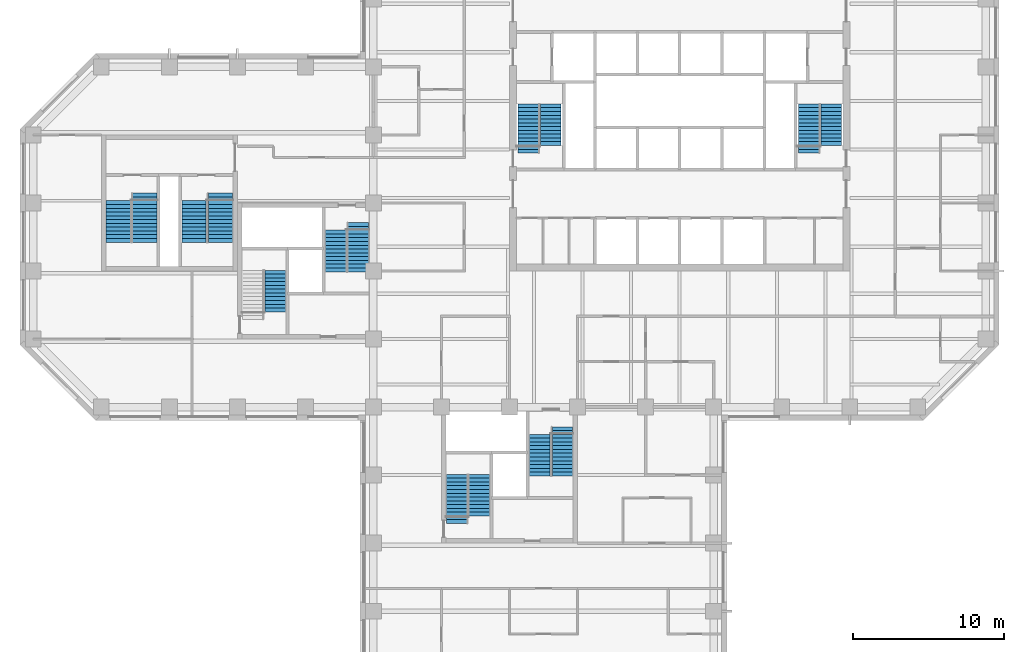
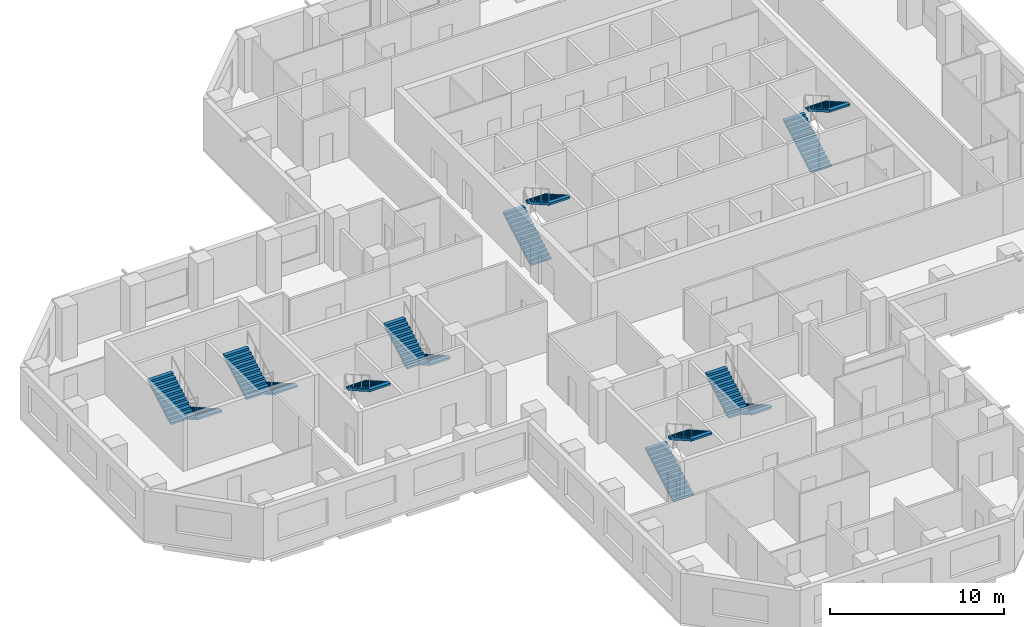
# One storey, part 10 of 11: 15 stair flights, 8 elements without a shape of their own.
"""IFC4 building model written with IfcOpenShell, lengths in metres."""

from ifc_helpers import new_model, si_unit, direction, frame, origin, place, context, subcontext, project, spatial, polyline, outline, extrude, material, type_object, element, aggregate, save


model = new_model("IFC4")

# Units and contexts
model_context = context("Model", 3, precision=1e-05, world=origin(), true_north=direction((0.0, 1.0)))
body_context = subcontext(model_context, "Body", "Model", "MODEL_VIEW")
ifc_project = project(units=[si_unit("LENGTHUNIT", "METRE"), si_unit("AREAUNIT", "SQUARE_METRE"), si_unit("VOLUMEUNIT", "CUBIC_METRE"), si_unit("PLANEANGLEUNIT", "RADIAN"), si_unit("MASSUNIT", "GRAM", prefix="KILO")], contexts=[model_context])

# Site, building, storey
site_placement = place(None, origin())
site = spatial("IfcSite", under=ifc_project, at=site_placement, CompositionType="ELEMENT")
building_placement = place(site_placement, origin())
building = spatial("IfcBuilding", under=site, at=building_placement, Name="Quoin Convention Tower", CompositionType="ELEMENT")
storey_placement = place(building_placement, frame((0.0, 0.0, 78.89990234375)))
storey = spatial("IfcBuildingStorey", under=building, at=storey_placement, Name="L20", CompositionType="ELEMENT", Elevation=78.89990234375)

# Stair, stair flights
ifc_material = material(Name="Concrete C40", Category="concrete")
stair_type_1 = type_object("IfcStairType", Name="Exit stair two-flight 1350", PredefinedType="HALF_TURN_STAIR", material=ifc_material)
stair_1_placement = place(storey_placement, origin())
stair_1 = element("IfcStair", 1, at=stair_1_placement, inside=storey, type_object=stair_type_1, Name="SD1 L20", PredefinedType="HALF_TURN_STAIR")
stair_flight_type_1 = type_object("IfcStairFlightType", Name="Stair flight 1350", PredefinedType="STRAIGHT", material=ifc_material)
stair_flight_1_placement = place(storey_placement, frame((46.22509765625, 57.300048828125, 0.0), z_axis=(0.0, 0.0, 1.0), x_axis=(0.0, 1.0, 0.0)))
stair_flight_1 = element("IfcStairFlight", 2, at=stair_flight_1_placement, type_object=stair_flight_type_1, Name="ST1 flight 1", NumberOfRisers=14, NumberOfTreads=13, PredefinedType="STRAIGHT", RiserHeight=0.142307692, TreadLength=0.25, context=body_context, shape_type="SweptSolid", body=[
    extrude(outline(polyline([(0.0, 0.0), (0.0, 0.142333984375), (0.25, 0.142333984375), (0.25, 0.28466796875), (0.5, 0.28466796875), (0.5, 0.427001953125), (0.75, 0.427001953125), (0.75, 0.5693359375), (1.0, 0.5693359375), (1.0, 0.71142578125), (1.25, 0.71142578125), (1.25, 0.853759765625), (1.5, 0.853759765625), (1.5, 0.99609375), (1.75, 0.99609375), (1.75, 1.138427734375), (2.0, 1.138427734375), (2.0, 1.28076171875), (2.25, 1.28076171875), (2.25, 1.423095703125), (2.5, 1.423095703125), (2.5, 1.5654296875), (2.75, 1.5654296875), (2.75, 1.707763671875), (3.0, 1.707763671875), (3.0, 1.85009765625), (3.25, 1.85009765625), (3.25, 1.9921875), (3.25, 1.711669921875), (0.242919921875, 0.0), (0.0, 0.0)])), frame((0.0, 0.675048828125, 0.0), z_axis=(0.0, -1.0, 0.0), x_axis=(1.0, 0.0, 0.0)), (0.0, 0.0, 1.0), 1.35009765625),
])
stair_flight_2_placement = place(storey_placement, frame((47.72509765625, 60.550048828125, 1.992431640625), z_axis=(0.0, 0.0, 1.0), x_axis=(0.0, -1.0, 0.0)))
stair_flight_2 = element("IfcStairFlight", 3, at=stair_flight_2_placement, type_object=stair_flight_type_1, Name="ST1 flight 2", NumberOfRisers=12, NumberOfTreads=11, PredefinedType="STRAIGHT", RiserHeight=0.142307692, TreadLength=0.25, context=body_context, shape_type="SweptSolid", body=[
    extrude(outline(polyline([(0.0, 0.0), (0.0, 0.142333984375), (0.25, 0.142333984375), (0.25, 0.28466796875), (0.5, 0.28466796875), (0.5, 0.427001953125), (0.75, 0.427001953125), (0.75, 0.5693359375), (1.0, 0.5693359375), (1.0, 0.71142578125), (1.25, 0.71142578125), (1.25, 0.853759765625), (1.5, 0.853759765625), (1.5, 0.99609375), (1.75, 0.99609375), (1.75, 1.138427734375), (2.0, 1.138427734375), (2.0, 1.28076171875), (2.25, 1.28076171875), (2.25, 1.423095703125), (2.5, 1.423095703125), (2.5, 1.5654296875), (2.75, 1.5654296875), (2.75, 1.707763671875), (2.75, 1.42724609375), (0.242919921875, 0.0), (0.0, 0.0)])), frame((0.0, 0.675048828125, 0.0), z_axis=(0.0, -1.0, 0.0), x_axis=(1.0, 0.0, 0.0)), (0.0, 0.0, 1.0), 1.35009765625),
])
aggregate(stair_1, [stair_flight_1, stair_flight_2])

stair_2_placement = place(storey_placement, origin())
stair_2 = element("IfcStair", 4, at=stair_2_placement, inside=storey, type_object=stair_type_1, Name="SD2 L20", PredefinedType="HALF_TURN_STAIR")
stair_flight_3_placement = place(storey_placement, frame((64.77490234375, 57.300048828125, 0.0), z_axis=(0.0, 0.0, 1.0), x_axis=(0.0, 1.0, 0.0)))
stair_flight_3 = element("IfcStairFlight", 5, at=stair_flight_3_placement, type_object=stair_flight_type_1, Name="ST2 flight 1", NumberOfRisers=14, NumberOfTreads=13, PredefinedType="STRAIGHT", RiserHeight=0.142307692, TreadLength=0.25, context=body_context, shape_type="SweptSolid", body=[
    extrude(outline(polyline([(0.0, 0.0), (0.0, 0.142333984375), (0.25, 0.142333984375), (0.25, 0.28466796875), (0.5, 0.28466796875), (0.5, 0.427001953125), (0.75, 0.427001953125), (0.75, 0.5693359375), (1.0, 0.5693359375), (1.0, 0.71142578125), (1.25, 0.71142578125), (1.25, 0.853759765625), (1.5, 0.853759765625), (1.5, 0.99609375), (1.75, 0.99609375), (1.75, 1.138427734375), (2.0, 1.138427734375), (2.0, 1.28076171875), (2.25, 1.28076171875), (2.25, 1.423095703125), (2.5, 1.423095703125), (2.5, 1.5654296875), (2.75, 1.5654296875), (2.75, 1.707763671875), (3.0, 1.707763671875), (3.0, 1.85009765625), (3.25, 1.85009765625), (3.25, 1.9921875), (3.25, 1.711669921875), (0.242919921875, 0.0), (0.0, 0.0)])), frame((0.0, 0.675048828125, 0.0), z_axis=(0.0, -1.0, 0.0), x_axis=(1.0, 0.0, 0.0)), (0.0, 0.0, 1.0), 1.35009765625),
])
stair_flight_4_placement = place(storey_placement, frame((66.27490234375, 60.550048828125, 1.992431640625), z_axis=(0.0, 0.0, 1.0), x_axis=(0.0, -1.0, 0.0)))
stair_flight_4 = element("IfcStairFlight", 6, at=stair_flight_4_placement, type_object=stair_flight_type_1, Name="ST2 flight 2", NumberOfRisers=12, NumberOfTreads=11, PredefinedType="STRAIGHT", RiserHeight=0.142307692, TreadLength=0.25, context=body_context, shape_type="SweptSolid", body=[
    extrude(outline(polyline([(0.0, 0.0), (0.0, 0.142333984375), (0.25, 0.142333984375), (0.25, 0.28466796875), (0.5, 0.28466796875), (0.5, 0.427001953125), (0.75, 0.427001953125), (0.75, 0.5693359375), (1.0, 0.5693359375), (1.0, 0.71142578125), (1.25, 0.71142578125), (1.25, 0.853759765625), (1.5, 0.853759765625), (1.5, 0.99609375), (1.75, 0.99609375), (1.75, 1.138427734375), (2.0, 1.138427734375), (2.0, 1.28076171875), (2.25, 1.28076171875), (2.25, 1.423095703125), (2.5, 1.423095703125), (2.5, 1.5654296875), (2.75, 1.5654296875), (2.75, 1.707763671875), (2.75, 1.42724609375), (0.242919921875, 0.0), (0.0, 0.0)])), frame((0.0, 0.675048828125, 0.0), z_axis=(0.0, -1.0, 0.0), x_axis=(1.0, 0.0, 0.0)), (0.0, 0.0, 1.0), 1.35009765625),
])
aggregate(stair_2, [stair_flight_3, stair_flight_4])

# Stair, stair flight
stair_3_placement = place(storey_placement, origin())
stair_3 = element("IfcStair", 7, at=stair_3_placement, inside=storey, type_object=stair_type_1, Name="SD3 L20", PredefinedType="HALF_TURN_STAIR")
stair_flight_5_placement = place(storey_placement, frame((29.5, 49.550048828125, 1.992431640625), z_axis=(0.0, 0.0, 1.0), x_axis=(0.0, -1.0, 0.0)))
stair_flight_5 = element("IfcStairFlight", 8, at=stair_flight_5_placement, type_object=stair_flight_type_1, Name="ST3 flight 2", NumberOfRisers=12, NumberOfTreads=11, PredefinedType="STRAIGHT", RiserHeight=0.142307692, TreadLength=0.25, context=body_context, shape_type="SweptSolid", body=[
    extrude(outline(polyline([(0.0, 0.0), (0.0, 0.142333984375), (0.25, 0.142333984375), (0.25, 0.28466796875), (0.5, 0.28466796875), (0.5, 0.427001953125), (0.75, 0.427001953125), (0.75, 0.5693359375), (1.0, 0.5693359375), (1.0, 0.71142578125), (1.25, 0.71142578125), (1.25, 0.853759765625), (1.5, 0.853759765625), (1.5, 0.99609375), (1.75, 0.99609375), (1.75, 1.138427734375), (2.0, 1.138427734375), (2.0, 1.28076171875), (2.25, 1.28076171875), (2.25, 1.423095703125), (2.5, 1.423095703125), (2.5, 1.5654296875), (2.75, 1.5654296875), (2.75, 1.707763671875), (2.75, 1.42724609375), (0.242919921875, 0.0), (0.0, 0.0)])), frame((0.0, 0.675048828125, 0.0), z_axis=(0.0, -1.0, 0.0), x_axis=(1.0, 0.0, 0.0)), (0.0, 0.0, 1.0), 1.35009765625),
])
aggregate(stair_3, [stair_flight_5])

# Stair, stair flights
stair_4_placement = place(storey_placement, origin())
stair_4 = element("IfcStair", 9, at=stair_4_placement, inside=storey, type_object=stair_type_1, Name="SD4 L20", PredefinedType="HALF_TURN_STAIR")
stair_flight_6_placement = place(storey_placement, frame((35.0, 52.699951171875, 0.0), z_axis=(0.0, 0.0, 1.0), x_axis=(0.0, -1.0, 0.0)))
stair_flight_6 = element("IfcStairFlight", 10, at=stair_flight_6_placement, type_object=stair_flight_type_1, Name="ST4 flight 1", NumberOfRisers=14, NumberOfTreads=13, PredefinedType="STRAIGHT", RiserHeight=0.142307692, TreadLength=0.25, context=body_context, shape_type="SweptSolid", body=[
    extrude(outline(polyline([(0.0, 0.0), (0.0, 0.142333984375), (0.25, 0.142333984375), (0.25, 0.28466796875), (0.5, 0.28466796875), (0.5, 0.427001953125), (0.75, 0.427001953125), (0.75, 0.5693359375), (1.0, 0.5693359375), (1.0, 0.71142578125), (1.25, 0.71142578125), (1.25, 0.853759765625), (1.5, 0.853759765625), (1.5, 0.99609375), (1.75, 0.99609375), (1.75, 1.138427734375), (2.0, 1.138427734375), (2.0, 1.28076171875), (2.25, 1.28076171875), (2.25, 1.423095703125), (2.5, 1.423095703125), (2.5, 1.5654296875), (2.75, 1.5654296875), (2.75, 1.707763671875), (3.0, 1.707763671875), (3.0, 1.85009765625), (3.25, 1.85009765625), (3.25, 1.9921875), (3.25, 1.711669921875), (0.242919921875, 0.0), (0.0, 0.0)])), frame((0.0, 0.675048828125, 0.0), z_axis=(0.0, -1.0, 0.0), x_axis=(1.0, 0.0, 0.0)), (0.0, 0.0, 1.0), 1.35009765625),
])
stair_flight_7_placement = place(storey_placement, frame((33.5, 49.449951171875, 1.992431640625), z_axis=(0.0, 0.0, 1.0), x_axis=(0.0, 1.0, 0.0)))
stair_flight_7 = element("IfcStairFlight", 11, at=stair_flight_7_placement, type_object=stair_flight_type_1, Name="ST4 flight 2", NumberOfRisers=12, NumberOfTreads=11, PredefinedType="STRAIGHT", RiserHeight=0.142307692, TreadLength=0.25, context=body_context, shape_type="SweptSolid", body=[
    extrude(outline(polyline([(0.0, 0.0), (0.0, 0.142333984375), (0.25, 0.142333984375), (0.25, 0.28466796875), (0.5, 0.28466796875), (0.5, 0.427001953125), (0.75, 0.427001953125), (0.75, 0.5693359375), (1.0, 0.5693359375), (1.0, 0.71142578125), (1.25, 0.71142578125), (1.25, 0.853759765625), (1.5, 0.853759765625), (1.5, 0.99609375), (1.75, 0.99609375), (1.75, 1.138427734375), (2.0, 1.138427734375), (2.0, 1.28076171875), (2.25, 1.28076171875), (2.25, 1.423095703125), (2.5, 1.423095703125), (2.5, 1.5654296875), (2.75, 1.5654296875), (2.75, 1.707763671875), (2.75, 1.42724609375), (0.242919921875, 0.0), (0.0, 0.0)])), frame((0.0, 0.675048828125, 0.0), z_axis=(0.0, -1.0, 0.0), x_axis=(1.0, 0.0, 0.0)), (0.0, 0.0, 1.0), 1.35009765625),
])
aggregate(stair_4, [stair_flight_6, stair_flight_7])

stair_5_placement = place(storey_placement, origin())
stair_5 = element("IfcStair", 12, at=stair_5_placement, inside=storey, type_object=stair_type_1, Name="SD5 L20", PredefinedType="HALF_TURN_STAIR")
stair_flight_8_placement = place(storey_placement, frame((41.5, 32.800048828125, 0.0), z_axis=(0.0, 0.0, 1.0), x_axis=(0.0, 1.0, 0.0)))
stair_flight_8 = element("IfcStairFlight", 13, at=stair_flight_8_placement, type_object=stair_flight_type_1, Name="ST5 flight 1", NumberOfRisers=14, NumberOfTreads=13, PredefinedType="STRAIGHT", RiserHeight=0.142307692, TreadLength=0.25, context=body_context, shape_type="SweptSolid", body=[
    extrude(outline(polyline([(0.0, 0.0), (0.0, 0.142333984375), (0.25, 0.142333984375), (0.25, 0.28466796875), (0.5, 0.28466796875), (0.5, 0.427001953125), (0.75, 0.427001953125), (0.75, 0.5693359375), (1.0, 0.5693359375), (1.0, 0.71142578125), (1.25, 0.71142578125), (1.25, 0.853759765625), (1.5, 0.853759765625), (1.5, 0.99609375), (1.75, 0.99609375), (1.75, 1.138427734375), (2.0, 1.138427734375), (2.0, 1.28076171875), (2.25, 1.28076171875), (2.25, 1.423095703125), (2.5, 1.423095703125), (2.5, 1.5654296875), (2.75, 1.5654296875), (2.75, 1.707763671875), (3.0, 1.707763671875), (3.0, 1.85009765625), (3.25, 1.85009765625), (3.25, 1.9921875), (3.25, 1.711669921875), (0.242919921875, 0.0), (0.0, 0.0)])), frame((0.0, 0.675048828125, 0.0), z_axis=(0.0, -1.0, 0.0), x_axis=(1.0, 0.0, 0.0)), (0.0, 0.0, 1.0), 1.35009765625),
])
stair_flight_9_placement = place(storey_placement, frame((43.0, 36.050048828125, 1.992431640625), z_axis=(0.0, 0.0, 1.0), x_axis=(0.0, -1.0, 0.0)))
stair_flight_9 = element("IfcStairFlight", 14, at=stair_flight_9_placement, type_object=stair_flight_type_1, Name="ST5 flight 2", NumberOfRisers=12, NumberOfTreads=11, PredefinedType="STRAIGHT", RiserHeight=0.142307692, TreadLength=0.25, context=body_context, shape_type="SweptSolid", body=[
    extrude(outline(polyline([(0.0, 0.0), (0.0, 0.142333984375), (0.25, 0.142333984375), (0.25, 0.28466796875), (0.5, 0.28466796875), (0.5, 0.427001953125), (0.75, 0.427001953125), (0.75, 0.5693359375), (1.0, 0.5693359375), (1.0, 0.71142578125), (1.25, 0.71142578125), (1.25, 0.853759765625), (1.5, 0.853759765625), (1.5, 0.99609375), (1.75, 0.99609375), (1.75, 1.138427734375), (2.0, 1.138427734375), (2.0, 1.28076171875), (2.25, 1.28076171875), (2.25, 1.423095703125), (2.5, 1.423095703125), (2.5, 1.5654296875), (2.75, 1.5654296875), (2.75, 1.707763671875), (2.75, 1.42724609375), (0.242919921875, 0.0), (0.0, 0.0)])), frame((0.0, 0.675048828125, 0.0), z_axis=(0.0, -1.0, 0.0), x_axis=(1.0, 0.0, 0.0)), (0.0, 0.0, 1.0), 1.35009765625),
])
aggregate(stair_5, [stair_flight_8, stair_flight_9])

stair_6_placement = place(storey_placement, origin())
stair_6 = element("IfcStair", 15, at=stair_6_placement, inside=storey, type_object=stair_type_1, Name="SD6 L20", PredefinedType="HALF_TURN_STAIR")
stair_flight_10_placement = place(storey_placement, frame((48.5, 39.199951171875, 0.0), z_axis=(0.0, 0.0, 1.0), x_axis=(0.0, -1.0, 0.0)))
stair_flight_10 = element("IfcStairFlight", 16, at=stair_flight_10_placement, type_object=stair_flight_type_1, Name="ST6 flight 1", NumberOfRisers=14, NumberOfTreads=13, PredefinedType="STRAIGHT", RiserHeight=0.142307692, TreadLength=0.25, context=body_context, shape_type="SweptSolid", body=[
    extrude(outline(polyline([(0.0, 0.0), (0.0, 0.142333984375), (0.25, 0.142333984375), (0.25, 0.28466796875), (0.5, 0.28466796875), (0.5, 0.427001953125), (0.75, 0.427001953125), (0.75, 0.5693359375), (1.0, 0.5693359375), (1.0, 0.71142578125), (1.25, 0.71142578125), (1.25, 0.853759765625), (1.5, 0.853759765625), (1.5, 0.99609375), (1.75, 0.99609375), (1.75, 1.138427734375), (2.0, 1.138427734375), (2.0, 1.28076171875), (2.25, 1.28076171875), (2.25, 1.423095703125), (2.5, 1.423095703125), (2.5, 1.5654296875), (2.75, 1.5654296875), (2.75, 1.707763671875), (3.0, 1.707763671875), (3.0, 1.85009765625), (3.25, 1.85009765625), (3.25, 1.9921875), (3.25, 1.711669921875), (0.242919921875, 0.0), (0.0, 0.0)])), frame((0.0, 0.675048828125, 0.0), z_axis=(0.0, -1.0, 0.0), x_axis=(1.0, 0.0, 0.0)), (0.0, 0.0, 1.0), 1.35009765625),
])
stair_flight_11_placement = place(storey_placement, frame((47.0, 35.949951171875, 1.992431640625), z_axis=(0.0, 0.0, 1.0), x_axis=(0.0, 1.0, 0.0)))
stair_flight_11 = element("IfcStairFlight", 17, at=stair_flight_11_placement, type_object=stair_flight_type_1, Name="ST6 flight 2", NumberOfRisers=12, NumberOfTreads=11, PredefinedType="STRAIGHT", RiserHeight=0.142307692, TreadLength=0.25, context=body_context, shape_type="SweptSolid", body=[
    extrude(outline(polyline([(0.0, 0.0), (0.0, 0.142333984375), (0.25, 0.142333984375), (0.25, 0.28466796875), (0.5, 0.28466796875), (0.5, 0.427001953125), (0.75, 0.427001953125), (0.75, 0.5693359375), (1.0, 0.5693359375), (1.0, 0.71142578125), (1.25, 0.71142578125), (1.25, 0.853759765625), (1.5, 0.853759765625), (1.5, 0.99609375), (1.75, 0.99609375), (1.75, 1.138427734375), (2.0, 1.138427734375), (2.0, 1.28076171875), (2.25, 1.28076171875), (2.25, 1.423095703125), (2.5, 1.423095703125), (2.5, 1.5654296875), (2.75, 1.5654296875), (2.75, 1.707763671875), (2.75, 1.42724609375), (0.242919921875, 0.0), (0.0, 0.0)])), frame((0.0, 0.675048828125, 0.0), z_axis=(0.0, -1.0, 0.0), x_axis=(1.0, 0.0, 0.0)), (0.0, 0.0, 1.0), 1.35009765625),
])
aggregate(stair_6, [stair_flight_10, stair_flight_11])

stair_type_2 = type_object("IfcStairType", Name="Exit stair two-flight 1600", PredefinedType="HALF_TURN_STAIR", material=ifc_material)
stair_7_placement = place(storey_placement, origin())
stair_7 = element("IfcStair", 18, at=stair_7_placement, inside=storey, type_object=stair_type_2, Name="SD11 L20", PredefinedType="HALF_TURN_STAIR")
stair_flight_type_2 = type_object("IfcStairFlightType", Name="Stair flight 1600", PredefinedType="STRAIGHT", material=ifc_material)
stair_flight_12_placement = place(storey_placement, frame((20.875, 54.64990234375, 0.0), z_axis=(0.0, 0.0, 1.0), x_axis=(0.0, -1.0, 0.0)))
stair_flight_12 = element("IfcStairFlight", 19, at=stair_flight_12_placement, type_object=stair_flight_type_2, Name="ST11 flight 1", NumberOfRisers=14, NumberOfTreads=13, PredefinedType="STRAIGHT", RiserHeight=0.142307692, TreadLength=0.25, context=body_context, shape_type="SweptSolid", body=[
    extrude(outline(polyline([(0.0, 0.0), (0.0, 0.142333984375), (0.25, 0.142333984375), (0.25, 0.28466796875), (0.5, 0.28466796875), (0.5, 0.427001953125), (0.75, 0.427001953125), (0.75, 0.5693359375), (1.0, 0.5693359375), (1.0, 0.71142578125), (1.25, 0.71142578125), (1.25, 0.853759765625), (1.5, 0.853759765625), (1.5, 0.99609375), (1.75, 0.99609375), (1.75, 1.138427734375), (2.0, 1.138427734375), (2.0, 1.28076171875), (2.25, 1.28076171875), (2.25, 1.423095703125), (2.5, 1.423095703125), (2.5, 1.5654296875), (2.75, 1.5654296875), (2.75, 1.707763671875), (3.0, 1.707763671875), (3.0, 1.85009765625), (3.25, 1.85009765625), (3.25, 1.9921875), (3.25, 1.711669921875), (0.242919921875, 0.0), (0.0, 0.0)])), frame((0.0, 0.800048828125, 0.0), z_axis=(0.0, -1.0, 0.0), x_axis=(1.0, 0.0, 0.0)), (0.0, 0.0, 1.0), 1.60009765625),
])
stair_flight_13_placement = place(storey_placement, frame((19.125, 51.39990234375, 1.992431640625), z_axis=(0.0, 0.0, 1.0), x_axis=(0.0, 1.0, 0.0)))
stair_flight_13 = element("IfcStairFlight", 20, at=stair_flight_13_placement, type_object=stair_flight_type_2, Name="ST11 flight 2", NumberOfRisers=12, NumberOfTreads=11, PredefinedType="STRAIGHT", RiserHeight=0.142307692, TreadLength=0.25, context=body_context, shape_type="SweptSolid", body=[
    extrude(outline(polyline([(0.0, 0.0), (0.0, 0.142333984375), (0.25, 0.142333984375), (0.25, 0.28466796875), (0.5, 0.28466796875), (0.5, 0.427001953125), (0.75, 0.427001953125), (0.75, 0.5693359375), (1.0, 0.5693359375), (1.0, 0.71142578125), (1.25, 0.71142578125), (1.25, 0.853759765625), (1.5, 0.853759765625), (1.5, 0.99609375), (1.75, 0.99609375), (1.75, 1.138427734375), (2.0, 1.138427734375), (2.0, 1.28076171875), (2.25, 1.28076171875), (2.25, 1.423095703125), (2.5, 1.423095703125), (2.5, 1.5654296875), (2.75, 1.5654296875), (2.75, 1.707763671875), (2.75, 1.42724609375), (0.242919921875, 0.0), (0.0, 0.0)])), frame((0.0, 0.800048828125, 0.0), z_axis=(0.0, -1.0, 0.0), x_axis=(1.0, 0.0, 0.0)), (0.0, 0.0, 1.0), 1.60009765625),
])
aggregate(stair_7, [stair_flight_12, stair_flight_13])

stair_8_placement = place(storey_placement, origin())
stair_8 = element("IfcStair", 21, at=stair_8_placement, inside=storey, type_object=stair_type_2, Name="SD12 L20", PredefinedType="HALF_TURN_STAIR")
stair_flight_14_placement = place(storey_placement, frame((25.875, 54.64990234375, 0.0), z_axis=(0.0, 0.0, 1.0), x_axis=(0.0, -1.0, 0.0)))
stair_flight_14 = element("IfcStairFlight", 22, at=stair_flight_14_placement, type_object=stair_flight_type_2, Name="ST12 flight 1", NumberOfRisers=14, NumberOfTreads=13, PredefinedType="STRAIGHT", RiserHeight=0.142307692, TreadLength=0.25, context=body_context, shape_type="SweptSolid", body=[
    extrude(outline(polyline([(0.0, 0.0), (0.0, 0.142333984375), (0.25, 0.142333984375), (0.25, 0.28466796875), (0.5, 0.28466796875), (0.5, 0.427001953125), (0.75, 0.427001953125), (0.75, 0.5693359375), (1.0, 0.5693359375), (1.0, 0.71142578125), (1.25, 0.71142578125), (1.25, 0.853759765625), (1.5, 0.853759765625), (1.5, 0.99609375), (1.75, 0.99609375), (1.75, 1.138427734375), (2.0, 1.138427734375), (2.0, 1.28076171875), (2.25, 1.28076171875), (2.25, 1.423095703125), (2.5, 1.423095703125), (2.5, 1.5654296875), (2.75, 1.5654296875), (2.75, 1.707763671875), (3.0, 1.707763671875), (3.0, 1.85009765625), (3.25, 1.85009765625), (3.25, 1.9921875), (3.25, 1.711669921875), (0.242919921875, 0.0), (0.0, 0.0)])), frame((0.0, 0.800048828125, 0.0), z_axis=(0.0, -1.0, 0.0), x_axis=(1.0, 0.0, 0.0)), (0.0, 0.0, 1.0), 1.60009765625),
])
stair_flight_15_placement = place(storey_placement, frame((24.125, 51.39990234375, 1.992431640625), z_axis=(0.0, 0.0, 1.0), x_axis=(0.0, 1.0, 0.0)))
stair_flight_15 = element("IfcStairFlight", 23, at=stair_flight_15_placement, type_object=stair_flight_type_2, Name="ST12 flight 2", NumberOfRisers=12, NumberOfTreads=11, PredefinedType="STRAIGHT", RiserHeight=0.142307692, TreadLength=0.25, context=body_context, shape_type="SweptSolid", body=[
    extrude(outline(polyline([(0.0, 0.0), (0.0, 0.142333984375), (0.25, 0.142333984375), (0.25, 0.28466796875), (0.5, 0.28466796875), (0.5, 0.427001953125), (0.75, 0.427001953125), (0.75, 0.5693359375), (1.0, 0.5693359375), (1.0, 0.71142578125), (1.25, 0.71142578125), (1.25, 0.853759765625), (1.5, 0.853759765625), (1.5, 0.99609375), (1.75, 0.99609375), (1.75, 1.138427734375), (2.0, 1.138427734375), (2.0, 1.28076171875), (2.25, 1.28076171875), (2.25, 1.423095703125), (2.5, 1.423095703125), (2.5, 1.5654296875), (2.75, 1.5654296875), (2.75, 1.707763671875), (2.75, 1.42724609375), (0.242919921875, 0.0), (0.0, 0.0)])), frame((0.0, 0.800048828125, 0.0), z_axis=(0.0, -1.0, 0.0), x_axis=(1.0, 0.0, 0.0)), (0.0, 0.0, 1.0), 1.60009765625),
])
aggregate(stair_8, [stair_flight_14, stair_flight_15])

save(model, "model.ifc")
